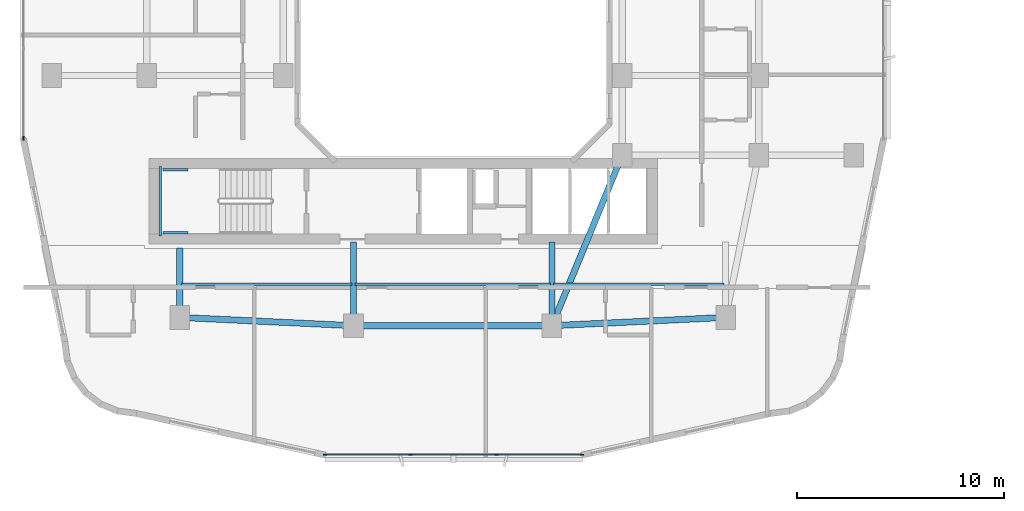
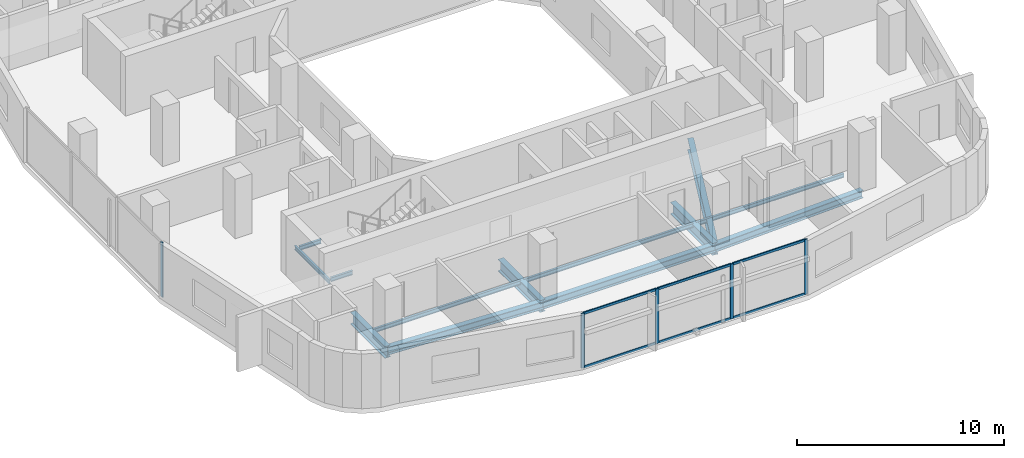
# One storey, part 2 of 27: 13 beams, 11 members, 2 elements without a shape of their own.
"""IFC4 building model written with IfcOpenShell, lengths in metres."""

from ifc_helpers import new_model, si_unit, derived_unit, direction, frame, origin, origin_2d, place, context, subcontext, project, spatial, rectangle, i_section, extrude, material, layer, layer_set, material_profile, profile_set, type_object, element, aggregate, save


model = new_model("IFC4")

# Units and contexts
model_context = context("Model", 3, precision=1e-05, world=origin(), true_north=direction((0.0, 1.0)))
body_context = subcontext(model_context, "Body", "Model", "MODEL_VIEW")
ifc_project = project(units=[si_unit("LENGTHUNIT", "METRE"), si_unit("AREAUNIT", "SQUARE_METRE"), si_unit("VOLUMEUNIT", "CUBIC_METRE"), si_unit("PLANEANGLEUNIT", "RADIAN"), si_unit("MASSUNIT", "GRAM", prefix="KILO"), derived_unit("THERMALTRANSMITTANCEUNIT", [(si_unit("POWERUNIT", "WATT"), 1), (si_unit("LENGTHUNIT", "METRE"), -2), (si_unit("THERMODYNAMICTEMPERATUREUNIT", "KELVIN"), -1)])], contexts=[model_context])

# Site, building, storey
site_placement = place(None, origin())
site = spatial("IfcSite", under=ifc_project, at=site_placement, CompositionType="ELEMENT")
building_placement = place(site_placement, origin())
building = spatial("IfcBuilding", under=site, at=building_placement, Name="Kivonza Crest Hotel", CompositionType="ELEMENT")
storey_placement = place(building_placement, frame((0.0, 0.0, 76.5)))
storey = spatial("IfcBuildingStorey", under=building, at=storey_placement, Name="L20", CompositionType="ELEMENT", Elevation=76.5)

# Beams
ifc_material_1 = material(Name="Steel S355", Category="steel")
ifc_material_profile_1 = material_profile(ifc_material_1, i_section(OverallWidth=0.300048828125, OverallDepth=0.449951171875, WebThickness=0.013916015625, FlangeThickness=0.02587890625, FilletRadius=0.027099609375, at=origin_2d()), Name="HEB 450")
ifc_profile_set_1 = profile_set([ifc_material_profile_1], Name="Steel S355")
beam_type_1 = type_object("IfcBeamType", Name="BM-HEB450", PredefinedType="SPANDREL", material=ifc_profile_set_1)
beam_1_placement = place(storey_placement, frame((16.199951171875, 9.39990234375, -0.5048828125), z_axis=(1.0, 0.0, 0.0), x_axis=(0.0, 1.0, 0.0)))
element("IfcBeam", 1, at=beam_1_placement, inside=storey, type_object=beam_type_1, Name="Tower T1 L20 perimeter spandrel S1-S2", PredefinedType="SPANDREL", context=body_context, shape_type="SweptSolid", body=[
    extrude(i_section(OverallWidth=0.300048828125, OverallDepth=0.449951171875, WebThickness=0.013916015625, FlangeThickness=0.02587890625, FilletRadius=0.027099609375, at=origin_2d()), origin(), (0.0, 0.0, 1.0), 9.60009765625),
])
for number, where, z_axis, x_axis, name in (
    (2, (25.800048828125, 9.39990234375, -0.5048828125), (0.998867283688, 0.047583080799, 0.0), (-0.047583080799, 0.998867283688, 0.0), "Tower T1 L20 perimeter spandrel S2-SE"),
    (3, (7.800048828125, 9.800048828125, -0.5048828125), (0.998867283688, -0.047583080799, 0.0), (0.047583080799, 0.998867283688, 0.0), "Tower T1 L20 perimeter spandrel SW-S1"),
):
    element("IfcBeam", number, at=place(storey_placement, frame(where, z_axis=z_axis, x_axis=x_axis)), inside=storey, type_object=beam_type_1, Name=name, PredefinedType="SPANDREL", context=body_context, shape_type="SweptSolid", body=[
        extrude(i_section(OverallWidth=0.300048828125, OverallDepth=0.449951171875, WebThickness=0.013916015625, FlangeThickness=0.02587890625, FilletRadius=0.027099609375, at=origin_2d()), origin(), (0.0, 0.0, 1.0), 8.409423828125),
    ])
ifc_material_profile_2 = material_profile(ifc_material_1, i_section(OverallWidth=0.300048828125, OverallDepth=0.699951171875, WebThickness=0.01708984375, FlangeThickness=0.031982421875, FilletRadius=0.027099609375, at=origin_2d()), Name="HEB 700")
ifc_profile_set_2 = profile_set([ifc_material_profile_2], Name="Steel S355")
beam_type_2 = type_object("IfcBeamType", Name="BM-HEB700", PredefinedType="BEAM", material=ifc_profile_set_2)
beam_2_placement = place(storey_placement, frame((25.800048828125, 9.39990234375, -0.6298828125), z_axis=(0.381022260404, 0.924565864109, 0.0), x_axis=(-0.924565864109, 0.381022260404, 0.0)))
element("IfcBeam", 4, at=beam_2_placement, inside=storey, type_object=beam_type_2, Name="Tower T1 L20 primary girder S1-TSE", PredefinedType="BEAM", context=body_context, shape_type="SweptSolid", body=[
    extrude(i_section(OverallWidth=0.300048828125, OverallDepth=0.699951171875, WebThickness=0.01708984375, FlangeThickness=0.031982421875, FilletRadius=0.027099609375, at=origin_2d()), origin(), (0.0, 0.0, 1.0), 8.923095703125),
])
beam_3_placement = place(storey_placement, frame((7.800048828125, 9.800048828125, -0.6298828125), z_axis=(0.0, 1.0, 0.0), x_axis=(-1.0, 0.0, 0.0)))
element("IfcBeam", 5, at=beam_3_placement, inside=storey, type_object=beam_type_2, Name="Tower T1 L20 radial core girder RSW", PredefinedType="BEAM", context=body_context, shape_type="SweptSolid", body=[
    extrude(i_section(OverallWidth=0.300048828125, OverallDepth=0.699951171875, WebThickness=0.01708984375, FlangeThickness=0.031982421875, FilletRadius=0.027099609375, at=origin_2d()), origin(), (0.0, 0.0, 1.0), 3.349853515625),
])
for number, where, z_axis, x_axis, name in (
    (6, (16.199951171875, 9.39990234375, -0.6298828125), (0.0, 1.0, 0.0), (-1.0, 0.0, 0.0), "Tower T1 L20 radial core girder RS1"),
    (7, (25.800048828125, 9.39990234375, -0.6298828125), (0.0, 1.0, 0.0), (-1.0, 0.0, 0.0), "Tower T1 L20 radial core girder RS2"),
):
    element("IfcBeam", number, at=place(storey_placement, frame(where, z_axis=z_axis, x_axis=x_axis)), inside=storey, type_object=beam_type_2, Name=name, PredefinedType="BEAM", context=body_context, shape_type="SweptSolid", body=[
        extrude(i_section(OverallWidth=0.300048828125, OverallDepth=0.699951171875, WebThickness=0.01708984375, FlangeThickness=0.031982421875, FilletRadius=0.027099609375, at=origin_2d()), origin(), (0.0, 0.0, 1.0), 4.050048828125),
    ])
ifc_material_profile_3 = material_profile(ifc_material_1, i_section(OverallWidth=0.1201171875, OverallDepth=0.239990234375, WebThickness=0.006103515625, FlangeThickness=0.009765625, FilletRadius=0.014892578125, at=origin_2d()), Name="IPE 240")
ifc_profile_set_3 = profile_set([ifc_material_profile_3], Name="Steel S355")
beam_type_3 = type_object("IfcBeamType", Name="BM-IPE240", PredefinedType="JOIST", material=ifc_profile_set_3)
beam_4_placement = place(storey_placement, frame((7.8798828125, 11.39990234375, -0.39990234375), z_axis=(1.0, 0.0, 0.0), x_axis=(0.0, 1.0, 0.0)))
element("IfcBeam", 8, at=beam_4_placement, inside=storey, type_object=beam_type_3, Name="Tower T1 L20 South-West floor joist", PredefinedType="JOIST", context=body_context, shape_type="SweptSolid", body=[
    extrude(i_section(OverallWidth=0.1201171875, OverallDepth=0.239990234375, WebThickness=0.006103515625, FlangeThickness=0.009765625, FilletRadius=0.014892578125, at=origin_2d()), origin(), (0.0, 0.0, 1.0), 8.240234375),
])
beam_5_placement = place(storey_placement, frame((16.280029296875, 11.39990234375, -0.39990234375), z_axis=(1.0, 0.0, 0.0), x_axis=(0.0, 1.0, 0.0)))
element("IfcBeam", 9, at=beam_5_placement, inside=storey, type_object=beam_type_3, Name="Tower T1 L20 South-Mid floor joist", PredefinedType="JOIST", context=body_context, shape_type="SweptSolid", body=[
    extrude(i_section(OverallWidth=0.1201171875, OverallDepth=0.239990234375, WebThickness=0.006103515625, FlangeThickness=0.009765625, FilletRadius=0.014892578125, at=origin_2d()), origin(), (0.0, 0.0, 1.0), 9.43994140625),
])
beam_6_placement = place(storey_placement, frame((25.8798828125, 11.39990234375, -0.39990234375), z_axis=(1.0, 0.0, 0.0), x_axis=(0.0, 1.0, 0.0)))
element("IfcBeam", 10, at=beam_6_placement, inside=storey, type_object=beam_type_3, Name="Tower T1 L20 South-East floor joist", PredefinedType="JOIST", context=body_context, shape_type="SweptSolid", body=[
    extrude(i_section(OverallWidth=0.1201171875, OverallDepth=0.239990234375, WebThickness=0.006103515625, FlangeThickness=0.009765625, FilletRadius=0.014892578125, at=origin_2d()), origin(), (0.0, 0.0, 1.0), 8.240234375),
])
ifc_material_profile_4 = material_profile(ifc_material_1, i_section(OverallWidth=0.1201171875, OverallDepth=0.239990234375, WebThickness=0.006103515625, FlangeThickness=0.009765625, FilletRadius=0.014892578125, at=origin_2d()), Name="IPE 240")
ifc_profile_set_4 = profile_set([ifc_material_profile_4], Name="Steel S355")
beam_type_4 = type_object("IfcBeamType", Name="BM-LLDG-240", PredefinedType="BEAM", material=ifc_profile_set_4)
beam_7_placement = place(storey_placement, frame((6.860107421875, 13.739990234375, 1.429931640625), z_axis=(0.0, 1.0, 0.0), x_axis=(-1.0, 0.0, 0.0)))
element("IfcBeam", 11, at=beam_7_placement, inside=storey, type_object=beam_type_4, Name="Stair ST-T1-S L20 West landing corbel", PredefinedType="BEAM", context=body_context, shape_type="SweptSolid", body=[
    extrude(i_section(OverallWidth=0.1201171875, OverallDepth=0.239990234375, WebThickness=0.006103515625, FlangeThickness=0.009765625, FilletRadius=0.014892578125, at=origin_2d()), origin(), (0.0, 0.0, 1.0), 3.360107421875),
])
for number, where, z_axis, x_axis, name in (
    (12, (6.989990234375, 13.89990234375, 1.429931640625), (1.0, 0.0, 0.0), (0.0, 1.0, 0.0), "Stair ST-T1-S L20 South landing corbel"),
    (13, (6.989990234375, 16.93994140625, 1.429931640625), (1.0, 0.0, 0.0), (0.0, 1.0, 0.0), "Stair ST-T1-S L20 North landing corbel"),
):
    element("IfcBeam", number, at=place(storey_placement, frame(where, z_axis=z_axis, x_axis=x_axis)), inside=storey, type_object=beam_type_4, Name=name, PredefinedType="BEAM", context=body_context, shape_type="SweptSolid", body=[
        extrude(i_section(OverallWidth=0.1201171875, OverallDepth=0.239990234375, WebThickness=0.006103515625, FlangeThickness=0.009765625, FilletRadius=0.014892578125, at=origin_2d()), origin(), (0.0, 0.0, 1.0), 1.2099609375),
    ])

# Curtain wall, members
ifc_material_2 = material(Name="Anodised bronze aluminium and low-E double glazing", Category="aluminium")
ifc_layer = layer(ifc_material_2, 0.179931640625)
ifc_layer_set = layer_set([ifc_layer], Name="Anodised bronze aluminium and low-E double glazing")
curtain_wall_type = type_object("IfcCurtainWallType", Name="CW-SYS-2", PredefinedType="NOTDEFINED", material=ifc_layer_set)
curtain_wall_1_placement = place(storey_placement, origin())
curtain_wall_1 = element("IfcCurtainWall", 14, at=curtain_wall_1_placement, inside=storey, type_object=curtain_wall_type, Name="L20 unitised curtain wall CW-T1-L20-08", PredefinedType="NOTDEFINED")
ifc_material_3 = material(Name="Anodised bronze aluminium", Category="aluminium")
ifc_material_profile_5 = material_profile(ifc_material_3, rectangle(XDim=0.06494140625, YDim=0.179931640625, at=origin_2d()), Name="CW-M 65x180")
ifc_profile_set_5 = profile_set([ifc_material_profile_5], Name="Anodised bronze aluminium")
member_type_1 = type_object("IfcMemberType", Name="CW-MUL-65x180", PredefinedType="MULLION", material=ifc_profile_set_5)
member_1_placement = place(storey_placement, frame((14.824462890625, 3.159912109375, 0.0), z_axis=(0.0, 0.0, 1.0), x_axis=(0.0, 1.0, 0.0)))
member_1 = element("IfcMember", 15, at=member_1_placement, type_object=member_type_1, Name="CW-2 mullion 1", PredefinedType="MULLION", context=body_context, shape_type="SweptSolid", body=[
    extrude(rectangle(XDim=0.06494140625, YDim=0.179931640625, at=origin_2d()), origin(), (0.0, 0.0, 1.0), 3.219970703125),
])
member_2_placement = place(storey_placement, frame((18.957275390625, 3.159912109375, 0.0), z_axis=(0.0, 0.0, 1.0), x_axis=(0.0, 1.0, 0.0)))
member_2 = element("IfcMember", 16, at=member_2_placement, type_object=member_type_1, Name="CW-2 mullion 2", PredefinedType="MULLION", context=body_context, shape_type="SweptSolid", body=[
    extrude(rectangle(XDim=0.06494140625, YDim=0.179931640625, at=origin_2d()), origin(), (0.0, 0.0, 1.0), 3.219970703125),
])
member_3_placement = place(storey_placement, frame((23.12255859375, 3.159912109375, 0.0), z_axis=(0.0, 0.0, 1.0), x_axis=(0.0, 1.0, 0.0)))
member_3 = element("IfcMember", 17, at=member_3_placement, type_object=member_type_1, Name="CW-2 mullion 3", PredefinedType="MULLION", context=body_context, shape_type="SweptSolid", body=[
    extrude(rectangle(XDim=0.06494140625, YDim=0.179931640625, at=origin_2d()), origin(), (0.0, 0.0, 1.0), 3.219970703125),
])
member_4_placement = place(storey_placement, frame((27.255615234375, 3.159912109375, 0.0), z_axis=(0.0, 0.0, 1.0), x_axis=(0.0, 1.0, 0.0)))
member_4 = element("IfcMember", 18, at=member_4_placement, type_object=member_type_1, Name="CW-2 mullion 4", PredefinedType="MULLION", context=body_context, shape_type="SweptSolid", body=[
    extrude(rectangle(XDim=0.06494140625, YDim=0.179931640625, at=origin_2d()), origin(), (0.0, 0.0, 1.0), 3.219970703125),
])

# Curtain wall, member
curtain_wall_2_placement = place(storey_placement, origin())
curtain_wall_2 = element("IfcCurtainWall", 19, at=curtain_wall_2_placement, inside=storey, type_object=curtain_wall_type, Name="L20 unitised curtain wall CW-T1-L20-35", PredefinedType="NOTDEFINED")
member_5_placement = place(storey_placement, frame((0.239990234375, 18.472412109375, 0.0), z_axis=(0.0, 0.0, 1.0), x_axis=(1.0, 0.0, 0.0)))
member_5 = element("IfcMember", 20, at=member_5_placement, type_object=member_type_1, Name="CW-2 mullion 4", PredefinedType="MULLION", context=body_context, shape_type="SweptSolid", body=[
    extrude(rectangle(XDim=0.06494140625, YDim=0.179931640625, at=origin_2d()), origin(), (0.0, 0.0, 1.0), 3.219970703125),
])
aggregate(curtain_wall_2, [member_5])

# Member
ifc_material_profile_6 = material_profile(ifc_material_3, rectangle(XDim=0.06494140625, YDim=0.139892578125, at=origin_2d()), Name="CW-T 65x140")
ifc_profile_set_6 = profile_set([ifc_material_profile_6], Name="Anodised bronze aluminium")
member_type_2 = type_object("IfcMemberType", Name="CW-TRN-65x140", PredefinedType="USERDEFINED", material=ifc_profile_set_6)
member_6_placement = place(storey_placement, frame((14.85693359375, 3.159912109375, 0.032470703125), z_axis=(1.0, 0.0, 0.0), x_axis=(0.0, 1.0, 0.0)))
member_6 = element("IfcMember", 21, at=member_6_placement, type_object=member_type_2, Name="CW-2 transom 1.1", ObjectType="TRANSOM", PredefinedType="USERDEFINED", context=body_context, shape_type="SweptSolid", body=[
    extrude(rectangle(XDim=0.06494140625, YDim=0.139892578125, at=origin_2d()), origin(), (0.0, 0.0, 1.0), 4.06787109375),
])

member_7_placement = place(storey_placement, frame((14.85693359375, 3.159912109375, 3.1875), z_axis=(1.0, 0.0, 0.0), x_axis=(0.0, 1.0, 0.0)))
member_7 = element("IfcMember", 22, at=member_7_placement, type_object=member_type_2, Name="CW-2 transom 1.2", ObjectType="TRANSOM", PredefinedType="USERDEFINED", context=body_context, shape_type="SweptSolid", body=[
    extrude(rectangle(XDim=0.06494140625, YDim=0.139892578125, at=origin_2d()), origin(), (0.0, 0.0, 1.0), 4.06787109375),
])

member_8_placement = place(storey_placement, frame((18.98974609375, 3.159912109375, 0.032470703125), z_axis=(1.0, 0.0, 0.0), x_axis=(0.0, 1.0, 0.0)))
member_8 = element("IfcMember", 23, at=member_8_placement, type_object=member_type_2, Name="CW-2 transom 2.1", ObjectType="TRANSOM", PredefinedType="USERDEFINED", context=body_context, shape_type="SweptSolid", body=[
    extrude(rectangle(XDim=0.06494140625, YDim=0.139892578125, at=origin_2d()), origin(), (0.0, 0.0, 1.0), 4.100341796875),
])

member_9_placement = place(storey_placement, frame((18.98974609375, 3.159912109375, 3.1875), z_axis=(1.0, 0.0, 0.0), x_axis=(0.0, 1.0, 0.0)))
member_9 = element("IfcMember", 24, at=member_9_placement, type_object=member_type_2, Name="CW-2 transom 2.2", ObjectType="TRANSOM", PredefinedType="USERDEFINED", context=body_context, shape_type="SweptSolid", body=[
    extrude(rectangle(XDim=0.06494140625, YDim=0.139892578125, at=origin_2d()), origin(), (0.0, 0.0, 1.0), 4.100341796875),
])

member_10_placement = place(storey_placement, frame((23.1552734375, 3.159912109375, 0.032470703125), z_axis=(1.0, 0.0, 0.0), x_axis=(0.0, 1.0, 0.0)))
member_10 = element("IfcMember", 25, at=member_10_placement, type_object=member_type_2, Name="CW-2 transom 3.1", ObjectType="TRANSOM", PredefinedType="USERDEFINED", context=body_context, shape_type="SweptSolid", body=[
    extrude(rectangle(XDim=0.06494140625, YDim=0.139892578125, at=origin_2d()), origin(), (0.0, 0.0, 1.0), 4.067626953125),
])

member_11_placement = place(storey_placement, frame((23.1552734375, 3.159912109375, 3.1875), z_axis=(1.0, 0.0, 0.0), x_axis=(0.0, 1.0, 0.0)))
member_11 = element("IfcMember", 26, at=member_11_placement, type_object=member_type_2, Name="CW-2 transom 3.2", ObjectType="TRANSOM", PredefinedType="USERDEFINED", context=body_context, shape_type="SweptSolid", body=[
    extrude(rectangle(XDim=0.06494140625, YDim=0.139892578125, at=origin_2d()), origin(), (0.0, 0.0, 1.0), 4.067626953125),
])

aggregate(curtain_wall_1, [member_1, member_2, member_3, member_4, member_6, member_7, member_8, member_9, member_10, member_11])

save(model, "model.ifc")
